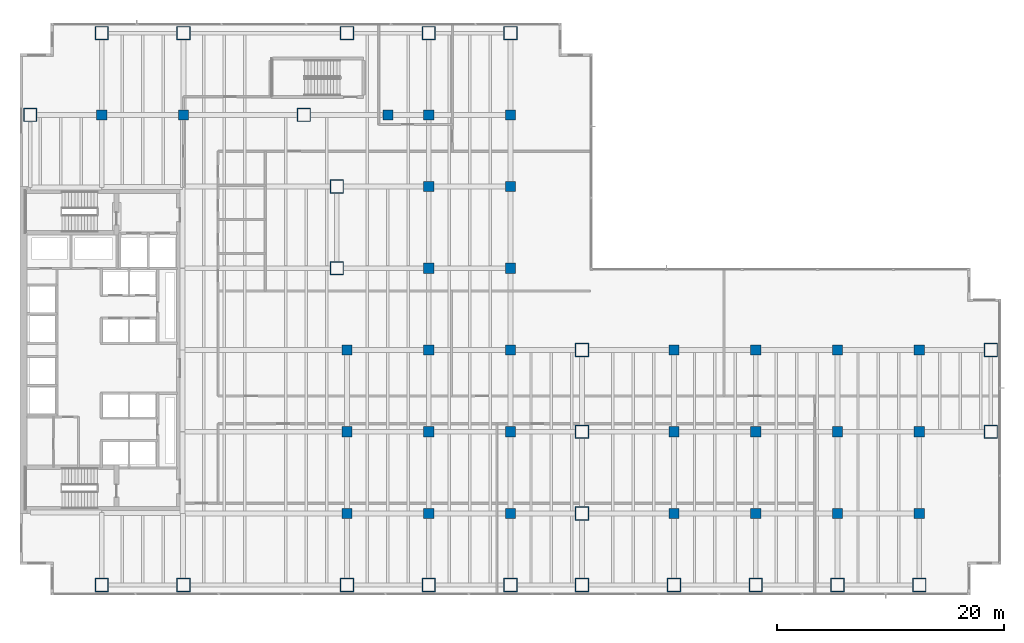
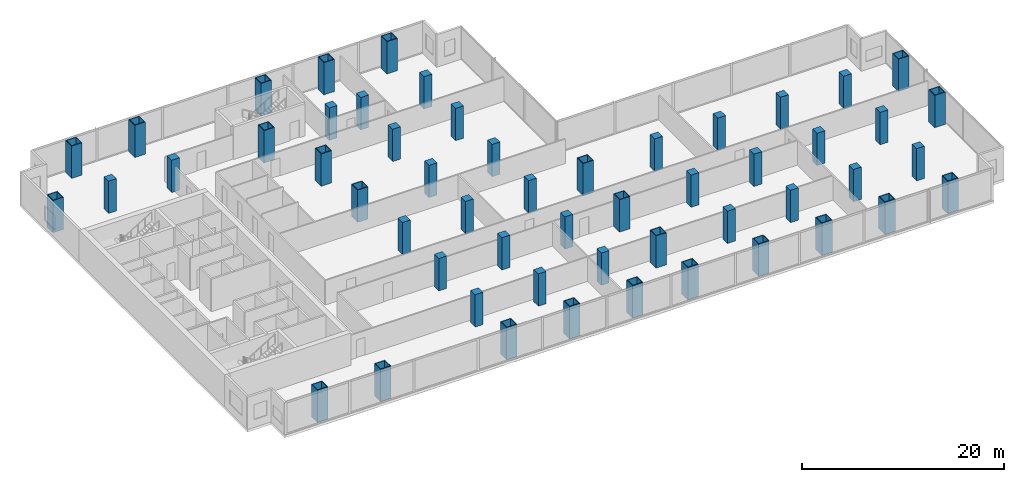
# One storey, part 1 of 31: 54 columns.
"""IFC4 building model written with IfcOpenShell, lengths in metres."""

from ifc_helpers import new_model, si_unit, direction, frame, origin, origin_2d, place, context, subcontext, project, spatial, rectangle, hollow_rectangle, extrude, material, material_profile, profile_set, type_object, element, save


model = new_model("IFC4")

# Units and contexts
model_context = context("Model", 3, precision=1e-05, world=origin(), true_north=direction((0.0, 1.0)))
body_context = subcontext(model_context, "Body", "Model", "MODEL_VIEW")
ifc_project = project(units=[si_unit("LENGTHUNIT", "METRE"), si_unit("AREAUNIT", "SQUARE_METRE"), si_unit("VOLUMEUNIT", "CUBIC_METRE"), si_unit("PLANEANGLEUNIT", "RADIAN"), si_unit("MASSUNIT", "GRAM", prefix="KILO")], contexts=[model_context])

# Site, building, storey
site_placement = place(None, origin())
site = spatial("IfcSite", under=ifc_project, at=site_placement, CompositionType="ELEMENT")
building_placement = place(site_placement, origin())
building = spatial("IfcBuilding", under=site, at=building_placement, Name="Cobrela Telecom Tower", CompositionType="ELEMENT")
storey_placement = place(building_placement, frame((0.0, 0.0, 9.449951171875)))
storey = spatial("IfcBuildingStorey", under=building, at=storey_placement, Name="L02", CompositionType="ELEMENT", Elevation=9.449951171875)

# Columns
ifc_material_1 = material(Name="Concrete C40/50", Category="concrete")
ifc_material_profile_1 = material_profile(ifc_material_1, rectangle(XDim=0.89990234375, YDim=0.89990234375, at=origin_2d()), Name="RC 900x900")
ifc_profile_set_1 = profile_set([ifc_material_profile_1], Name="Concrete C40/50")
column_type_1 = type_object("IfcColumnType", Name="COL-INT-02", PredefinedType="COLUMN", material=ifc_profile_set_1)
for number, where, z_axis, x_axis, name in (
    (1, (7.199951171875, 42.300048828125, 0.0), (0.0, 0.0, 1.0), (1.0, 0.0, 0.0), "L02 Interior Column 03"),
    (2, (14.39990234375, 42.300048828125, 0.0), (0.0, 0.0, 1.0), (1.0, 0.0, 0.0), "L02 Interior Column 06"),
    (3, (28.800048828125, 7.199951171875, 0.0), (0.0, 0.0, 1.0), (1.0, 0.0, 0.0), "L02 Interior Column 12"),
    (4, (28.800048828125, 14.39990234375, 0.0), (0.0, 0.0, 1.0), (1.0, 0.0, 0.0), "L02 Interior Column 13"),
    (5, (28.800048828125, 21.60009765625, 0.0), (0.0, 0.0, 1.0), (1.0, 0.0, 0.0), "L02 Interior Column 14"),
    (6, (32.39990234375, 42.300048828125, 0.0), (0.0, 0.0, 1.0), (1.0, 0.0, 0.0), "L02 Interior Column 16"),
    (7, (36.0, 7.199951171875, 0.0), (0.0, 0.0, 1.0), (1.0, 0.0, 0.0), "L02 Interior Column 18"),
    (8, (36.0, 14.39990234375, 0.0), (0.0, 0.0, 1.0), (1.0, 0.0, 0.0), "L02 Interior Column 19"),
    (9, (36.0, 21.60009765625, 0.0), (0.0, 0.0, 1.0), (1.0, 0.0, 0.0), "L02 Interior Column 20"),
    (10, (36.0, 28.800048828125, 0.0), (0.0, 0.0, 1.0), (1.0, 0.0, 0.0), "L02 Interior Column 21"),
    (11, (36.0, 36.0, 0.0), (0.0, 0.0, 1.0), (1.0, 0.0, 0.0), "L02 Interior Column 22"),
    (12, (36.0, 42.300048828125, 0.0), (0.0, 0.0, 1.0), (1.0, 0.0, 0.0), "L02 Interior Column 23"),
    (13, (43.199951171875, 7.199951171875, 0.0), (0.0, 0.0, 1.0), (1.0, 0.0, 0.0), "L02 Interior Column 26"),
    (14, (43.199951171875, 14.39990234375, 0.0), (0.0, 0.0, 1.0), (1.0, 0.0, 0.0), "L02 Interior Column 27"),
    (15, (43.199951171875, 21.60009765625, 0.0), (0.0, 0.0, 1.0), (1.0, 0.0, 0.0), "L02 Interior Column 28"),
    (16, (43.199951171875, 28.800048828125, 0.0), (0.0, 0.0, 1.0), (1.0, 0.0, 0.0), "L02 Interior Column 29"),
    (17, (43.199951171875, 36.0, 0.0), (0.0, 0.0, 1.0), (1.0, 0.0, 0.0), "L02 Interior Column 30"),
    (18, (43.199951171875, 42.300048828125, 0.0), (0.0, 0.0, 1.0), (1.0, 0.0, 0.0), "L02 Interior Column 31"),
    (19, (57.60009765625, 7.199951171875, 0.0), (0.0, 0.0, 1.0), (1.0, 0.0, 0.0), "L02 Interior Column 38"),
    (20, (57.60009765625, 14.39990234375, 0.0), (0.0, 0.0, 1.0), (1.0, 0.0, 0.0), "L02 Interior Column 39"),
    (21, (57.60009765625, 21.60009765625, 0.0), (0.0, 0.0, 1.0), (1.0, 0.0, 0.0), "L02 Interior Column 40"),
    (22, (64.800048828125, 7.199951171875, 0.0), (0.0, 0.0, 1.0), (1.0, 0.0, 0.0), "L02 Interior Column 42"),
    (23, (64.800048828125, 14.39990234375, 0.0), (0.0, 0.0, 1.0), (1.0, 0.0, 0.0), "L02 Interior Column 43"),
    (24, (64.800048828125, 21.60009765625, 0.0), (0.0, 0.0, 1.0), (1.0, 0.0, 0.0), "L02 Interior Column 44"),
    (25, (72.0, 7.199951171875, 0.0), (0.0, 0.0, 1.0), (1.0, 0.0, 0.0), "L02 Interior Column 46"),
    (26, (72.0, 14.39990234375, 0.0), (0.0, 0.0, 1.0), (1.0, 0.0, 0.0), "L02 Interior Column 47"),
    (27, (72.0, 21.60009765625, 0.0), (0.0, 0.0, 1.0), (1.0, 0.0, 0.0), "L02 Interior Column 48"),
    (28, (79.199951171875, 7.199951171875, 0.0), (0.0, 0.0, 1.0), (1.0, 0.0, 0.0), "L02 Interior Column 50"),
    (29, (79.199951171875, 14.39990234375, 0.0), (0.0, 0.0, 1.0), (1.0, 0.0, 0.0), "L02 Interior Column 51"),
    (30, (79.199951171875, 21.60009765625, 0.0), (0.0, 0.0, 1.0), (1.0, 0.0, 0.0), "L02 Interior Column 52"),
):
    element("IfcColumn", number, at=place(storey_placement, frame(where, z_axis=z_axis, x_axis=x_axis)), inside=storey, type_object=column_type_1, Name=name, PredefinedType="COLUMN", context=body_context, shape_type="SweptSolid", body=[
        extrude(rectangle(XDim=0.89990234375, YDim=0.89990234375, at=origin_2d()), origin(), (0.0, 0.0, 1.0), 3.900146484375),
    ])
ifc_material_2 = material(Name="Steel ASTM A572 Grade 50", Category="steel")
ifc_material_profile_2 = material_profile(ifc_material_2, hollow_rectangle(XDim=1.199951171875, YDim=1.199951171875, WallThickness=0.074951171875, at=origin_2d()), Name="BOX 1200x1200x75")
ifc_profile_set_2 = profile_set([ifc_material_profile_2], Name="Steel ASTM A572 Grade 50")
column_type_2 = type_object("IfcColumnType", Name="COL-MEGA-01", PredefinedType="COLUMN", material=ifc_profile_set_2)
for number, where, z_axis, x_axis, name in (
    (31, (0.89990234375, 42.300048828125, 0.0), (0.0, 0.0, 1.0), (1.0, 0.0, 0.0), "L02 Perimeter Mega-Column 01"),
    (32, (7.199951171875, 0.89990234375, 0.0), (0.0, 0.0, 1.0), (1.0, 0.0, 0.0), "L02 Perimeter Mega-Column 02"),
    (33, (7.199951171875, 49.5, 0.0), (0.0, 0.0, 1.0), (1.0, 0.0, 0.0), "L02 Perimeter Mega-Column 04"),
    (34, (14.39990234375, 0.89990234375, 0.0), (0.0, 0.0, 1.0), (1.0, 0.0, 0.0), "L02 Perimeter Mega-Column 05"),
    (35, (14.39990234375, 49.5, 0.0), (0.0, 0.0, 1.0), (1.0, 0.0, 0.0), "L02 Perimeter Mega-Column 07"),
    (36, (25.0, 42.300048828125, 0.0), (0.0, 0.0, 1.0), (1.0, 0.0, 0.0), "L02 Perimeter Mega-Column 08"),
    (37, (27.89990234375, 28.800048828125, 0.0), (0.0, 0.0, 1.0), (1.0, 0.0, 0.0), "L02 Perimeter Mega-Column 09"),
    (38, (27.89990234375, 36.0, 0.0), (0.0, 0.0, 1.0), (1.0, 0.0, 0.0), "L02 Perimeter Mega-Column 10"),
    (39, (28.800048828125, 0.89990234375, 0.0), (0.0, 0.0, 1.0), (1.0, 0.0, 0.0), "L02 Perimeter Mega-Column 11"),
    (40, (28.800048828125, 49.5, 0.0), (0.0, 0.0, 1.0), (1.0, 0.0, 0.0), "L02 Perimeter Mega-Column 15"),
    (41, (36.0, 0.89990234375, 0.0), (0.0, 0.0, 1.0), (1.0, 0.0, 0.0), "L02 Perimeter Mega-Column 17"),
    (42, (36.0, 49.5, 0.0), (0.0, 0.0, 1.0), (1.0, 0.0, 0.0), "L02 Perimeter Mega-Column 24"),
    (43, (43.199951171875, 0.89990234375, 0.0), (0.0, 0.0, 1.0), (1.0, 0.0, 0.0), "L02 Perimeter Mega-Column 25"),
    (44, (43.199951171875, 49.5, 0.0), (0.0, 0.0, 1.0), (1.0, 0.0, 0.0), "L02 Perimeter Mega-Column 32"),
    (45, (49.5, 0.89990234375, 0.0), (0.0, 0.0, 1.0), (1.0, 0.0, 0.0), "L02 Perimeter Mega-Column 33"),
    (46, (49.5, 7.199951171875, 0.0), (0.0, 0.0, 1.0), (1.0, 0.0, 0.0), "L02 Perimeter Mega-Column 34"),
    (47, (49.5, 14.39990234375, 0.0), (0.0, 0.0, 1.0), (1.0, 0.0, 0.0), "L02 Perimeter Mega-Column 35"),
    (48, (49.5, 21.60009765625, 0.0), (0.0, 0.0, 1.0), (1.0, 0.0, 0.0), "L02 Perimeter Mega-Column 36"),
    (49, (57.60009765625, 0.89990234375, 0.0), (0.0, 0.0, 1.0), (1.0, 0.0, 0.0), "L02 Perimeter Mega-Column 37"),
    (50, (64.800048828125, 0.89990234375, 0.0), (0.0, 0.0, 1.0), (1.0, 0.0, 0.0), "L02 Perimeter Mega-Column 41"),
    (51, (72.0, 0.89990234375, 0.0), (0.0, 0.0, 1.0), (1.0, 0.0, 0.0), "L02 Perimeter Mega-Column 45"),
    (52, (79.199951171875, 0.89990234375, 0.0), (0.0, 0.0, 1.0), (1.0, 0.0, 0.0), "L02 Perimeter Mega-Column 49"),
    (53, (85.5, 14.39990234375, 0.0), (0.0, 0.0, 1.0), (1.0, 0.0, 0.0), "L02 Perimeter Mega-Column 53"),
    (54, (85.5, 21.60009765625, 0.0), (0.0, 0.0, 1.0), (1.0, 0.0, 0.0), "L02 Perimeter Mega-Column 54"),
):
    element("IfcColumn", number, at=place(storey_placement, frame(where, z_axis=z_axis, x_axis=x_axis)), inside=storey, type_object=column_type_2, Name=name, PredefinedType="COLUMN", context=body_context, shape_type="SweptSolid", body=[
        extrude(hollow_rectangle(XDim=1.199951171875, YDim=1.199951171875, WallThickness=0.074951171875, at=origin_2d()), origin(), (0.0, 0.0, 1.0), 3.900146484375),
    ])

save(model, "model.ifc")
